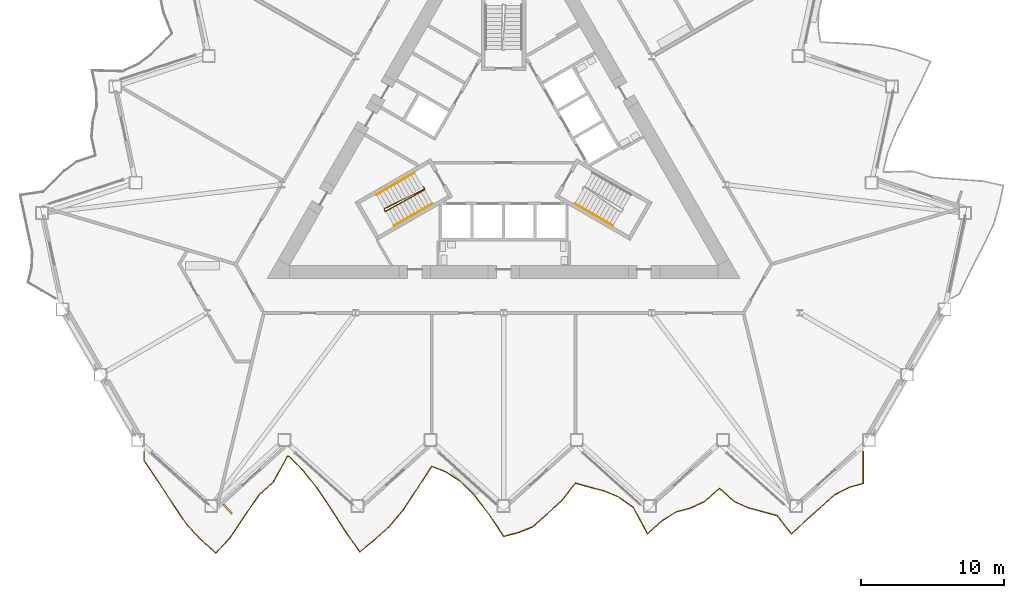
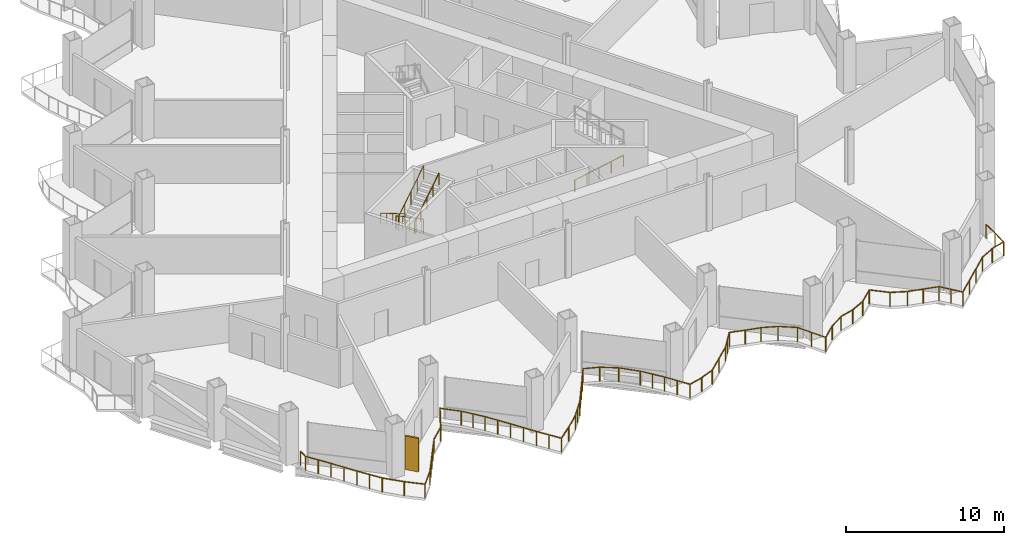
# One storey, part 17 of 21: 5 railings, 1 shading device.
"""IFC4 building model written with IfcOpenShell, lengths in metres."""

from ifc_helpers import new_model, si_unit, direction, frame, origin, origin_2d, place, context, subcontext, project, spatial, rectangle, circle, extrude, material, layer, layer_set, type_object, element, save


model = new_model("IFC4")

# Units and contexts
model_context = context("Model", 3, precision=1e-05, world=origin(), true_north=direction((0.0, 1.0)))
body_context = subcontext(model_context, "Body", "Model", "MODEL_VIEW")
ifc_project = project(units=[si_unit("LENGTHUNIT", "METRE"), si_unit("AREAUNIT", "SQUARE_METRE"), si_unit("VOLUMEUNIT", "CUBIC_METRE"), si_unit("PLANEANGLEUNIT", "RADIAN"), si_unit("MASSUNIT", "GRAM", prefix="KILO")], contexts=[model_context])

# Site, building, storey
site_placement = place(None, origin())
site = spatial("IfcSite", under=ifc_project, at=site_placement, CompositionType="ELEMENT")
building_placement = place(site_placement, origin())
building = spatial("IfcBuilding", under=site, at=building_placement, Name="Cormorant Prow Tower", CompositionType="ELEMENT")
storey_placement = place(building_placement, frame((0.0, 0.0, 112.199951171875)))
storey = spatial("IfcBuildingStorey", under=building, at=storey_placement, Name="L23", CompositionType="ELEMENT", Elevation=112.199951171875)

# Railings
ifc_material_1 = material(Name="Aluminium 6063-T6", Category="aluminium")
railing_type_1 = type_object("IfcRailingType", Name="Balcony guard 1100", PredefinedType="GUARDRAIL", material=ifc_material_1)
railing_1_placement = place(storey_placement, frame((-25.090087890625, -21.60546875, 0.0)))
element("IfcRailing", 1, at=railing_1_placement, inside=storey, type_object=railing_type_1, Name="Balcony guard S", PredefinedType="GUARDRAIL", context=body_context, shape_type="SweptSolid", body=[
    extrude(circle(Radius=0.02392578125, at=origin_2d()), frame((0.0, 0.0, 1.076171875), z_axis=(0.0, -1.0, 0.0), x_axis=(1.0, 0.0, 0.0)), (0.0, 0.0, 1.0), 0.63623046875),
    extrude(circle(Radius=0.02392578125, at=origin_2d()), frame((0.0, -0.63623046875, 1.076171875), z_axis=(0.563273034102, -0.82627083275, 0.0), x_axis=(0.82627083275, 0.563273034102, 0.0)), (0.0, 0.0, 1.0), 1.781494140625),
    extrude(circle(Radius=0.02392578125, at=origin_2d()), frame((1.00341796875, -2.108154296875, 1.076171875), z_axis=(0.541349794121, -0.840797478829, 0.0), x_axis=(0.840797478829, 0.541349794121, 0.0)), (0.0, 0.0, 1.0), 1.85400390625),
    extrude(circle(Radius=0.02392578125, at=origin_2d()), frame((2.007080078125, -3.6669921875, 1.076171875), z_axis=(0.565028770778, -0.825071201893, 0.0), x_axis=(0.825071201893, 0.565028770778, 0.0)), (0.0, 0.0, 1.0), 1.7763671875),
    extrude(circle(Radius=0.02392578125, at=origin_2d()), frame((3.0107421875, -5.132568359375, 1.076171875), z_axis=(0.690288024563, -0.723534686899, 0.0), x_axis=(0.723534686899, 0.690288024563, 0.0)), (0.0, 0.0, 1.0), 1.453857421875),
    extrude(circle(Radius=0.02392578125, at=origin_2d()), frame((4.014404296875, -6.1845703125, 1.076171875), z_axis=(0.743195257304, -0.669074591896, 0.0), x_axis=(0.669074591896, 0.743195257304, 0.0)), (0.0, 0.0, 1.0), 1.3505859375),
    extrude(circle(Radius=0.02392578125, at=origin_2d()), frame((5.01806640625, -7.088134765625, 1.076171875), z_axis=(0.671858739317, 0.740679306045, 0.0), x_axis=(-0.740679306045, 0.671858739317, 0.0)), (0.0, 0.0, 1.0), 1.493408203125),
    extrude(circle(Radius=0.02392578125, at=origin_2d()), frame((6.021484375, -5.98193359375, 1.076171875), z_axis=(0.560064685087, 0.828448881054, 0.0), x_axis=(-0.828448881054, 0.560064685087, 0.0)), (0.0, 0.0, 1.0), 1.7919921875),
    extrude(circle(Radius=0.02392578125, at=origin_2d()), frame((7.025146484375, -4.497314453125, 1.076171875), z_axis=(0.56387723091, 0.825858624984, 0.0), x_axis=(-0.825858624984, 0.56387723091, 0.0)), (0.0, 0.0, 1.0), 1.780029296875),
    extrude(circle(Radius=0.02392578125, at=origin_2d()), frame((8.02880859375, -3.02734375, 1.076171875), z_axis=(0.743105367012, 0.669174426826, 0.0), x_axis=(-0.669174426826, 0.743105367012, 0.0)), (0.0, 0.0, 1.0), 1.3505859375),
    extrude(circle(Radius=0.02392578125, at=origin_2d()), frame((9.032470703125, -2.12353515625, 1.076171875), z_axis=(0.480768788169, 0.876847405381, 0.0), x_axis=(-0.876847405381, 0.480768788169, 0.0)), (0.0, 0.0, 1.0), 2.087158203125),
    extrude(circle(Radius=0.02392578125, at=origin_2d()), frame((10.035888671875, -0.29345703125, 1.076171875), z_axis=(0.726272924684, -0.68740645827, 0.0), x_axis=(0.68740645827, 0.726272924684, 0.0)), (0.0, 0.0, 1.0), 1.3818359375),
    extrude(circle(Radius=0.02392578125, at=origin_2d()), frame((11.03955078125, -1.243408203125, 1.076171875), z_axis=(0.618784981269, -0.785560403124, 0.0), x_axis=(0.785560403124, 0.618784981269, 0.0)), (0.0, 0.0, 1.0), 1.6220703125),
    extrude(circle(Radius=0.02392578125, at=origin_2d()), frame((12.043212890625, -2.517578125, 1.076171875), z_axis=(0.556980517301, -0.830525558515, 0.0), x_axis=(0.830525558515, 0.556980517301, 0.0)), (0.0, 0.0, 1.0), 1.802001953125),
    extrude(circle(Radius=0.02392578125, at=origin_2d()), frame((13.046875, -4.01416015625, 1.076171875), z_axis=(0.541916624032, -0.840432253426, 0.0), x_axis=(0.840432253426, 0.541916624032, 0.0)), (0.0, 0.0, 1.0), 1.8515625),
    extrude(circle(Radius=0.02392578125, at=origin_2d()), frame((14.05029296875, -5.5703125, 1.076171875), z_axis=(0.572732805864, -0.819742113769, 0.0), x_axis=(0.819742113769, 0.572732805864, 0.0)), (0.0, 0.0, 1.0), 1.75244140625),
    extrude(circle(Radius=0.02392578125, at=origin_2d()), frame((15.053955078125, -7.0068359375, 1.076171875), z_axis=(0.773546340467, 0.633739740864, 0.0), x_axis=(-0.633739740864, 0.773546340467, 0.0)), (0.0, 0.0, 1.0), 1.29736328125),
    extrude(circle(Radius=0.02392578125, at=origin_2d()), frame((16.0576171875, -6.1845703125, 1.076171875), z_axis=(0.743195257304, 0.669074591896, 0.0), x_axis=(-0.669074591896, 0.743195257304, 0.0)), (0.0, 0.0, 1.0), 1.3505859375),
    extrude(circle(Radius=0.02392578125, at=origin_2d()), frame((17.061279296875, -5.281005859375, 1.076171875), z_axis=(0.646830511403, 0.762633784668, 0.0), x_axis=(-0.762633784668, 0.646830511403, 0.0)), (0.0, 0.0, 1.0), 1.5517578125),
    extrude(circle(Radius=0.02392578125, at=origin_2d()), frame((18.06494140625, -4.09765625, 1.076171875), z_axis=(0.554233434117, 0.832361280038, 0.0), x_axis=(-0.832361280038, 0.554233434117, 0.0)), (0.0, 0.0, 1.0), 1.810791015625),
    extrude(circle(Radius=0.02392578125, at=origin_2d()), frame((19.068603515625, -2.59033203125, 1.076171875), z_axis=(0.542638004838, 0.839966663449, 0.0), x_axis=(-0.839966663449, 0.542638004838, 0.0)), (0.0, 0.0, 1.0), 1.84912109375),
    extrude(circle(Radius=0.02392578125, at=origin_2d()), frame((20.072021484375, -1.037109375, 1.076171875), z_axis=(0.933128983239, -0.359541792618, 0.0), x_axis=(0.359541792618, 0.933128983239, 0.0)), (0.0, 0.0, 1.0), 1.07568359375),
    extrude(circle(Radius=0.02392578125, at=origin_2d()), frame((21.07568359375, -1.423828125, 1.076171875), z_axis=(0.834913663391, -0.550380935974, 0.0), x_axis=(0.550380935974, 0.834913663391, 0.0)), (0.0, 0.0, 1.0), 1.2021484375),
    extrude(circle(Radius=0.02392578125, at=origin_2d()), frame((22.079345703125, -2.08544921875, 1.076171875), z_axis=(0.707536920845, -0.706676379711, 0.0), x_axis=(0.706676379711, 0.707536920845, 0.0)), (0.0, 0.0, 1.0), 1.41845703125),
    extrude(circle(Radius=0.02392578125, at=origin_2d()), frame((23.0830078125, -3.087890625, 1.076171875), z_axis=(0.606140966144, -0.795357233677, 0.0), x_axis=(0.795357233677, 0.606140966144, 0.0)), (0.0, 0.0, 1.0), 1.655517578125),
    extrude(circle(Radius=0.02392578125, at=origin_2d()), frame((24.08642578125, -4.404541015625, 1.076171875), z_axis=(0.551754340842, -0.834006683044, 0.0), x_axis=(0.834006683044, 0.551754340842, 0.0)), (0.0, 0.0, 1.0), 1.819091796875),
    extrude(circle(Radius=0.02392578125, at=origin_2d()), frame((25.090087890625, -5.921630859375, 1.076171875), z_axis=(0.968499426252, 0.249015785344, 0.0), x_axis=(-0.249015785344, 0.968499426252, 0.0)), (0.0, 0.0, 1.0), 1.036376953125),
    extrude(circle(Radius=0.02392578125, at=origin_2d()), frame((26.09375, -5.66357421875, 1.076171875), z_axis=(0.927774479402, 0.373141414708, 0.0), x_axis=(-0.373141414708, 0.927774479402, 0.0)), (0.0, 0.0, 1.0), 1.08154296875),
    extrude(circle(Radius=0.02392578125, at=origin_2d()), frame((27.09716796875, -5.260009765625, 1.076171875), z_axis=(0.750865676171, 0.660454946494, 0.0), x_axis=(-0.660454946494, 0.750865676171, 0.0)), (0.0, 0.0, 1.0), 1.336669921875),
    extrude(circle(Radius=0.02392578125, at=origin_2d()), frame((28.100830078125, -4.377197265625, 1.076171875), z_axis=(0.743195257304, 0.669074591896, 0.0), x_axis=(-0.669074591896, 0.743195257304, 0.0)), (0.0, 0.0, 1.0), 1.3505859375),
    extrude(circle(Radius=0.02392578125, at=origin_2d()), frame((29.1044921875, -3.4736328125, 1.076171875), z_axis=(0.621500310543, 0.783413916136, 0.0), x_axis=(-0.783413916136, 0.621500310543, 0.0)), (0.0, 0.0, 1.0), 1.614990234375),
    extrude(circle(Radius=0.02392578125, at=origin_2d()), frame((30.108154296875, -2.20849609375, 1.076171875), z_axis=(0.962890989159, -0.26989061302, 0.0), x_axis=(0.26989061302, 0.962890989159, 0.0)), (0.0, 0.0, 1.0), 1.0419921875),
    extrude(circle(Radius=0.02392578125, at=origin_2d()), frame((31.111572265625, -2.48974609375, 1.076171875), z_axis=(0.967296661406, -0.253647725856, 0.0), x_axis=(0.253647725856, 0.967296661406, 0.0)), (0.0, 0.0, 1.0), 1.03759765625),
    extrude(circle(Radius=0.02392578125, at=origin_2d()), frame((32.115234375, -2.7529296875, 1.076171875), z_axis=(0.922191801101, -0.386732830236, 0.0), x_axis=(0.386732830236, 0.922191801101, 0.0)), (0.0, 0.0, 1.0), 1.08837890625),
    extrude(circle(Radius=0.02392578125, at=origin_2d()), frame((33.118896484375, -3.173828125, 1.076171875), z_axis=(0.815833326743, -0.578287111196, 0.0), x_axis=(0.578287111196, 0.815833326743, 0.0)), (0.0, 0.0, 1.0), 1.230224609375),
    extrude(circle(Radius=0.02392578125, at=origin_2d()), frame((34.12255859375, -3.88525390625, 1.076171875), z_axis=(0.476260755837, -0.879304095549, 0.0), x_axis=(0.879304095549, 0.476260755837, 0.0)), (0.0, 0.0, 1.0), 2.107421875),
    extrude(circle(Radius=0.02392578125, at=origin_2d()), frame((35.126220703125, -5.73828125, 1.076171875), z_axis=(0.743105367012, 0.669174426826, 0.0), x_axis=(-0.669174426826, 0.743105367012, 0.0)), (0.0, 0.0, 1.0), 1.3505859375),
    extrude(circle(Radius=0.02392578125, at=origin_2d()), frame((36.1298828125, -4.83447265625, 1.076171875), z_axis=(0.85103207517, 0.525113708669, 0.0), x_axis=(-0.525113708669, 0.85103207517, 0.0)), (0.0, 0.0, 1.0), 1.178955078125),
    extrude(circle(Radius=0.02392578125, at=origin_2d()), frame((37.13330078125, -4.21533203125, 1.076171875), z_axis=(0.965839968869, 0.259139257033, 0.0), x_axis=(-0.259139257033, 0.965839968869, 0.0)), (0.0, 0.0, 1.0), 1.0390625),
    extrude(circle(Radius=0.02392578125, at=origin_2d()), frame((38.136962890625, -3.946044921875, 1.076171875), z_axis=(0.904783784271, 0.425871229035, 0.0), x_axis=(-0.425871229035, 0.904783784271, 0.0)), (0.0, 0.0, 1.0), 1.109375),
    extrude(circle(Radius=0.02392578125, at=origin_2d()), frame((39.140625, -3.4736328125, 1.076171875), z_axis=(0.743105367012, 0.669174426826, 0.0), x_axis=(-0.669174426826, 0.743105367012, 0.0)), (0.0, 0.0, 1.0), 1.3505859375),
    extrude(circle(Radius=0.02392578125, at=origin_2d()), frame((40.144287109375, -2.56982421875, 1.076171875), z_axis=(0.743024407273, -0.669264320128, 0.0), x_axis=(0.669264320128, 0.743024407273, 0.0)), (0.0, 0.0, 1.0), 1.350341796875),
    extrude(circle(Radius=0.02392578125, at=origin_2d()), frame((41.147705078125, -3.4736328125, 1.076171875), z_axis=(0.910502956481, -0.413502558927, 0.0), x_axis=(0.413502558927, 0.910502956481, 0.0)), (0.0, 0.0, 1.0), 1.102294921875),
    extrude(circle(Radius=0.02392578125, at=origin_2d()), frame((42.1513671875, -3.929443359375, 1.076171875), z_axis=(0.966484215483, -0.25672604313, 0.0), x_axis=(0.25672604313, 0.966484215483, 0.0)), (0.0, 0.0, 1.0), 1.03857421875),
    extrude(circle(Radius=0.02392578125, at=origin_2d()), frame((43.155029296875, -4.196044921875, 1.076171875), z_axis=(0.964116899719, -0.265478066281, 0.0), x_axis=(0.265478066281, 0.964116899719, 0.0)), (0.0, 0.0, 1.0), 1.041015625),
    extrude(circle(Radius=0.02392578125, at=origin_2d()), frame((44.15869140625, -4.472412109375, 1.076171875), z_axis=(0.621186733266, -0.783662581992, 0.0), x_axis=(0.783662581992, 0.621186733266, 0.0)), (0.0, 0.0, 1.0), 1.615234375),
    extrude(circle(Radius=0.02392578125, at=origin_2d()), frame((45.162109375, -5.73828125, 1.076171875), z_axis=(0.743105367012, 0.669174426826, 0.0), x_axis=(-0.669174426826, 0.743105367012, 0.0)), (0.0, 0.0, 1.0), 1.3505859375),
    extrude(circle(Radius=0.02392578125, at=origin_2d()), frame((46.165771484375, -4.83447265625, 1.076171875), z_axis=(0.743195257304, 0.669074591896, 0.0), x_axis=(-0.669074591896, 0.743195257304, 0.0)), (0.0, 0.0, 1.0), 1.3505859375),
    extrude(circle(Radius=0.02392578125, at=origin_2d()), frame((47.16943359375, -3.930908203125, 1.076171875), z_axis=(0.743195257304, 0.669074591896, 0.0), x_axis=(-0.669074591896, 0.743195257304, 0.0)), (0.0, 0.0, 1.0), 1.3505859375),
    extrude(circle(Radius=0.02392578125, at=origin_2d()), frame((48.173095703125, -3.02734375, 1.076171875), z_axis=(0.888515498383, 0.458846607411, 0.0), x_axis=(-0.458846607411, 0.888515498383, 0.0)), (0.0, 0.0, 1.0), 1.129638671875),
    extrude(circle(Radius=0.02392578125, at=origin_2d()), frame((49.1767578125, -2.509033203125, 1.076171875), z_axis=(0.962034583565, 0.272927572856, 0.0), x_axis=(-0.272927572856, 0.962034583565, 0.0)), (0.0, 0.0, 1.0), 1.04296875),
    extrude(circle(Radius=0.02392578125, at=origin_2d()), frame((50.18017578125, -2.224365234375, 1.076171875), z_axis=(0.0, 1.0, 0.0), x_axis=(-1.0, 0.0, 0.0)), (0.0, 0.0, 1.0), 2.224365234375),
    extrude(circle(Radius=0.02099609375, at=origin_2d()), origin(), (0.0, 0.0, 1.0), 1.052001953125),
    extrude(circle(Radius=0.02099609375, at=origin_2d()), frame((0.0, -0.63623046875, 0.0)), (0.0, 0.0, 1.0), 1.052001953125),
    extrude(circle(Radius=0.02099609375, at=origin_2d()), frame((0.501708984375, -1.3720703125, 0.0)), (0.0, 0.0, 1.0), 1.052001953125),
    extrude(circle(Radius=0.02099609375, at=origin_2d()), frame((1.00341796875, -2.108154296875, 0.0)), (0.0, 0.0, 1.0), 1.052001953125),
    extrude(circle(Radius=0.02099609375, at=origin_2d()), frame((1.50537109375, -2.8876953125, 0.0)), (0.0, 0.0, 1.0), 1.052001953125),
    extrude(circle(Radius=0.02099609375, at=origin_2d()), frame((2.007080078125, -3.6669921875, 0.0)), (0.0, 0.0, 1.0), 1.052001953125),
    extrude(circle(Radius=0.02099609375, at=origin_2d()), frame((2.5087890625, -4.39990234375, 0.0)), (0.0, 0.0, 1.0), 1.052001953125),
    extrude(circle(Radius=0.02099609375, at=origin_2d()), frame((3.0107421875, -5.132568359375, 0.0)), (0.0, 0.0, 1.0), 1.052001953125),
    extrude(circle(Radius=0.02099609375, at=origin_2d()), frame((4.014404296875, -6.1845703125, 0.0)), (0.0, 0.0, 1.0), 1.052001953125),
    extrude(circle(Radius=0.02099609375, at=origin_2d()), frame((5.01806640625, -7.088134765625, 0.0)), (0.0, 0.0, 1.0), 1.052001953125),
    extrude(circle(Radius=0.02099609375, at=origin_2d()), frame((6.021484375, -5.98193359375, 0.0)), (0.0, 0.0, 1.0), 1.052001953125),
    extrude(circle(Radius=0.02099609375, at=origin_2d()), frame((6.5234375, -5.23974609375, 0.0)), (0.0, 0.0, 1.0), 1.052001953125),
    extrude(circle(Radius=0.02099609375, at=origin_2d()), frame((7.025146484375, -4.497314453125, 0.0)), (0.0, 0.0, 1.0), 1.052001953125),
    extrude(circle(Radius=0.02099609375, at=origin_2d()), frame((7.52685546875, -3.76220703125, 0.0)), (0.0, 0.0, 1.0), 1.052001953125),
    extrude(circle(Radius=0.02099609375, at=origin_2d()), frame((8.02880859375, -3.02734375, 0.0)), (0.0, 0.0, 1.0), 1.052001953125),
    extrude(circle(Radius=0.02099609375, at=origin_2d()), frame((9.032470703125, -2.12353515625, 0.0)), (0.0, 0.0, 1.0), 1.052001953125),
    extrude(circle(Radius=0.02099609375, at=origin_2d()), frame((9.5341796875, -1.20849609375, 0.0)), (0.0, 0.0, 1.0), 1.052001953125),
    extrude(circle(Radius=0.02099609375, at=origin_2d()), frame((10.035888671875, -0.29345703125, 0.0)), (0.0, 0.0, 1.0), 1.052001953125),
    extrude(circle(Radius=0.02099609375, at=origin_2d()), frame((11.03955078125, -1.243408203125, 0.0)), (0.0, 0.0, 1.0), 1.052001953125),
    extrude(circle(Radius=0.02099609375, at=origin_2d()), frame((11.54150390625, -1.88037109375, 0.0)), (0.0, 0.0, 1.0), 1.052001953125),
    extrude(circle(Radius=0.02099609375, at=origin_2d()), frame((12.043212890625, -2.517578125, 0.0)), (0.0, 0.0, 1.0), 1.052001953125),
    extrude(circle(Radius=0.02099609375, at=origin_2d()), frame((12.544921875, -3.265869140625, 0.0)), (0.0, 0.0, 1.0), 1.052001953125),
    extrude(circle(Radius=0.02099609375, at=origin_2d()), frame((13.046875, -4.01416015625, 0.0)), (0.0, 0.0, 1.0), 1.052001953125),
    extrude(circle(Radius=0.02099609375, at=origin_2d()), frame((13.548583984375, -4.792236328125, 0.0)), (0.0, 0.0, 1.0), 1.052001953125),
    extrude(circle(Radius=0.02099609375, at=origin_2d()), frame((14.05029296875, -5.5703125, 0.0)), (0.0, 0.0, 1.0), 1.052001953125),
    extrude(circle(Radius=0.02099609375, at=origin_2d()), frame((14.55224609375, -6.28857421875, 0.0)), (0.0, 0.0, 1.0), 1.052001953125),
    extrude(circle(Radius=0.02099609375, at=origin_2d()), frame((15.053955078125, -7.0068359375, 0.0)), (0.0, 0.0, 1.0), 1.052001953125),
    extrude(circle(Radius=0.02099609375, at=origin_2d()), frame((16.0576171875, -6.1845703125, 0.0)), (0.0, 0.0, 1.0), 1.052001953125),
    extrude(circle(Radius=0.02099609375, at=origin_2d()), frame((17.061279296875, -5.281005859375, 0.0)), (0.0, 0.0, 1.0), 1.052001953125),
    extrude(circle(Radius=0.02099609375, at=origin_2d()), frame((17.56298828125, -4.689453125, 0.0)), (0.0, 0.0, 1.0), 1.052001953125),
    extrude(circle(Radius=0.02099609375, at=origin_2d()), frame((18.06494140625, -4.09765625, 0.0)), (0.0, 0.0, 1.0), 1.052001953125),
    extrude(circle(Radius=0.02099609375, at=origin_2d()), frame((18.56689453125, -3.343994140625, 0.0)), (0.0, 0.0, 1.0), 1.052001953125),
    extrude(circle(Radius=0.02099609375, at=origin_2d()), frame((19.068603515625, -2.59033203125, 0.0)), (0.0, 0.0, 1.0), 1.052001953125),
    extrude(circle(Radius=0.02099609375, at=origin_2d()), frame((19.5703125, -1.813720703125, 0.0)), (0.0, 0.0, 1.0), 1.052001953125),
    extrude(circle(Radius=0.02099609375, at=origin_2d()), frame((20.072021484375, -1.037109375, 0.0)), (0.0, 0.0, 1.0), 1.052001953125),
    extrude(circle(Radius=0.02099609375, at=origin_2d()), frame((21.07568359375, -1.423828125, 0.0)), (0.0, 0.0, 1.0), 1.052001953125),
    extrude(circle(Radius=0.02099609375, at=origin_2d()), frame((22.079345703125, -2.08544921875, 0.0)), (0.0, 0.0, 1.0), 1.052001953125),
    extrude(circle(Radius=0.02099609375, at=origin_2d()), frame((23.0830078125, -3.087890625, 0.0)), (0.0, 0.0, 1.0), 1.052001953125),
    extrude(circle(Radius=0.02099609375, at=origin_2d()), frame((23.584716796875, -3.74609375, 0.0)), (0.0, 0.0, 1.0), 1.052001953125),
    extrude(circle(Radius=0.02099609375, at=origin_2d()), frame((24.08642578125, -4.404541015625, 0.0)), (0.0, 0.0, 1.0), 1.052001953125),
    extrude(circle(Radius=0.02099609375, at=origin_2d()), frame((24.58837890625, -5.1630859375, 0.0)), (0.0, 0.0, 1.0), 1.052001953125),
    extrude(circle(Radius=0.02099609375, at=origin_2d()), frame((25.090087890625, -5.921630859375, 0.0)), (0.0, 0.0, 1.0), 1.052001953125),
    extrude(circle(Radius=0.02099609375, at=origin_2d()), frame((26.09375, -5.66357421875, 0.0)), (0.0, 0.0, 1.0), 1.052001953125),
    extrude(circle(Radius=0.02099609375, at=origin_2d()), frame((27.09716796875, -5.260009765625, 0.0)), (0.0, 0.0, 1.0), 1.052001953125),
    extrude(circle(Radius=0.02099609375, at=origin_2d()), frame((28.100830078125, -4.377197265625, 0.0)), (0.0, 0.0, 1.0), 1.052001953125),
    extrude(circle(Radius=0.02099609375, at=origin_2d()), frame((29.1044921875, -3.4736328125, 0.0)), (0.0, 0.0, 1.0), 1.052001953125),
    extrude(circle(Radius=0.02099609375, at=origin_2d()), frame((29.6064453125, -2.841064453125, 0.0)), (0.0, 0.0, 1.0), 1.052001953125),
    extrude(circle(Radius=0.02099609375, at=origin_2d()), frame((30.108154296875, -2.20849609375, 0.0)), (0.0, 0.0, 1.0), 1.052001953125),
    extrude(circle(Radius=0.02099609375, at=origin_2d()), frame((31.111572265625, -2.48974609375, 0.0)), (0.0, 0.0, 1.0), 1.052001953125),
    extrude(circle(Radius=0.02099609375, at=origin_2d()), frame((32.115234375, -2.7529296875, 0.0)), (0.0, 0.0, 1.0), 1.052001953125),
    extrude(circle(Radius=0.02099609375, at=origin_2d()), frame((33.118896484375, -3.173828125, 0.0)), (0.0, 0.0, 1.0), 1.052001953125),
    extrude(circle(Radius=0.02099609375, at=origin_2d()), frame((34.12255859375, -3.88525390625, 0.0)), (0.0, 0.0, 1.0), 1.052001953125),
    extrude(circle(Radius=0.02099609375, at=origin_2d()), frame((34.62451171875, -4.811767578125, 0.0)), (0.0, 0.0, 1.0), 1.052001953125),
    extrude(circle(Radius=0.02099609375, at=origin_2d()), frame((35.126220703125, -5.73828125, 0.0)), (0.0, 0.0, 1.0), 1.052001953125),
    extrude(circle(Radius=0.02099609375, at=origin_2d()), frame((36.1298828125, -4.83447265625, 0.0)), (0.0, 0.0, 1.0), 1.052001953125),
    extrude(circle(Radius=0.02099609375, at=origin_2d()), frame((37.13330078125, -4.21533203125, 0.0)), (0.0, 0.0, 1.0), 1.052001953125),
    extrude(circle(Radius=0.02099609375, at=origin_2d()), frame((38.136962890625, -3.946044921875, 0.0)), (0.0, 0.0, 1.0), 1.052001953125),
    extrude(circle(Radius=0.02099609375, at=origin_2d()), frame((39.140625, -3.4736328125, 0.0)), (0.0, 0.0, 1.0), 1.052001953125),
    extrude(circle(Radius=0.02099609375, at=origin_2d()), frame((40.144287109375, -2.56982421875, 0.0)), (0.0, 0.0, 1.0), 1.052001953125),
    extrude(circle(Radius=0.02099609375, at=origin_2d()), frame((41.147705078125, -3.4736328125, 0.0)), (0.0, 0.0, 1.0), 1.052001953125),
    extrude(circle(Radius=0.02099609375, at=origin_2d()), frame((42.1513671875, -3.929443359375, 0.0)), (0.0, 0.0, 1.0), 1.052001953125),
    extrude(circle(Radius=0.02099609375, at=origin_2d()), frame((43.155029296875, -4.196044921875, 0.0)), (0.0, 0.0, 1.0), 1.052001953125),
    extrude(circle(Radius=0.02099609375, at=origin_2d()), frame((44.15869140625, -4.472412109375, 0.0)), (0.0, 0.0, 1.0), 1.052001953125),
    extrude(circle(Radius=0.02099609375, at=origin_2d()), frame((44.660400390625, -5.10546875, 0.0)), (0.0, 0.0, 1.0), 1.052001953125),
    extrude(circle(Radius=0.02099609375, at=origin_2d()), frame((45.162109375, -5.73828125, 0.0)), (0.0, 0.0, 1.0), 1.052001953125),
    extrude(circle(Radius=0.02099609375, at=origin_2d()), frame((46.165771484375, -4.83447265625, 0.0)), (0.0, 0.0, 1.0), 1.052001953125),
    extrude(circle(Radius=0.02099609375, at=origin_2d()), frame((47.16943359375, -3.930908203125, 0.0)), (0.0, 0.0, 1.0), 1.052001953125),
    extrude(circle(Radius=0.02099609375, at=origin_2d()), frame((48.173095703125, -3.02734375, 0.0)), (0.0, 0.0, 1.0), 1.052001953125),
    extrude(circle(Radius=0.02099609375, at=origin_2d()), frame((49.1767578125, -2.509033203125, 0.0)), (0.0, 0.0, 1.0), 1.052001953125),
    extrude(circle(Radius=0.02099609375, at=origin_2d()), frame((50.18017578125, -2.224365234375, 0.0)), (0.0, 0.0, 1.0), 1.052001953125),
    extrude(circle(Radius=0.02099609375, at=origin_2d()), frame((50.18017578125, -1.1123046875, 0.0)), (0.0, 0.0, 1.0), 1.052001953125),
    extrude(circle(Radius=0.02099609375, at=origin_2d()), frame((50.18017578125, 0.0, 0.0)), (0.0, 0.0, 1.0), 1.052001953125),
])
ifc_material_2 = material(Name="Stainless steel", Category="steel")
railing_type_2 = type_object("IfcRailingType", Name="Stair guard 1100", PredefinedType="GUARDRAIL", material=ifc_material_2)
railing_2_placement = place(storey_placement, frame((-5.585205078125, -3.137939453125, 0.0)))
element("IfcRailing", 2, at=railing_2_placement, inside=storey, type_object=railing_type_2, Name="L23 ST1 stair guard 1", PredefinedType="GUARDRAIL", context=body_context, shape_type="SweptSolid", body=[
    extrude(circle(Radius=0.02392578125, at=origin_2d()), frame((0.0, 0.0, 1.076171875), z_axis=(0.501036270542, -0.865426285481, 0.0), x_axis=(0.865426285481, 0.501036270542, 0.0)), (0.0, 0.0, 1.0), 0.150146484375),
    extrude(circle(Radius=0.02392578125, at=origin_2d()), frame((0.0751953125, -0.1298828125, 1.076171875), z_axis=(-0.744644002882, -0.368732342607, 0.556364780057), x_axis=(0.443754251299, -0.896148516963, 0.0)), (0.0, 0.0, 1.0), 3.774658203125),
    extrude(circle(Radius=0.02392578125, at=origin_2d()), frame((-2.735595703125, -1.521728515625, 3.17626953125), z_axis=(0.274721127897, -0.961523947641, 0.0), x_axis=(0.961523947641, 0.274721127897, 0.0)), (0.0, 0.0, 1.0), 0.2060546875),
    extrude(circle(Radius=0.02392578125, at=origin_2d()), frame((-2.678955078125, -1.719970703125, 3.17626953125), z_axis=(0.725764528363, 0.403684660475, 0.557049857973), x_axis=(-0.486086505765, 0.873910698477, 0.0)), (0.0, 0.0, 1.0), 3.76953125),
    extrude(circle(Radius=0.02099609375, at=origin_2d()), origin(), (0.0, 0.0, 1.0), 1.052001953125),
    extrude(circle(Radius=0.02099609375, at=origin_2d()), frame((0.0751953125, -0.1298828125, 0.0)), (0.0, 0.0, 1.0), 1.052001953125),
    extrude(circle(Radius=0.02099609375, at=origin_2d()), frame((-0.62744140625, -0.477783203125, 0.52490234375)), (0.0, 0.0, 1.0), 1.052001953125),
    extrude(circle(Radius=0.02099609375, at=origin_2d()), frame((-1.330078125, -0.82568359375, 1.050048828125)), (0.0, 0.0, 1.0), 1.052001953125),
    extrude(circle(Radius=0.02099609375, at=origin_2d()), frame((-2.032958984375, -1.173828125, 1.5751953125)), (0.0, 0.0, 1.0), 1.052001953125),
    extrude(circle(Radius=0.02099609375, at=origin_2d()), frame((-2.735595703125, -1.521728515625, 2.10009765625)), (0.0, 0.0, 1.0), 1.052001953125),
    extrude(circle(Radius=0.02099609375, at=origin_2d()), frame((-2.678955078125, -1.719970703125, 2.10009765625)), (0.0, 0.0, 1.0), 1.052001953125),
    extrude(circle(Radius=0.02099609375, at=origin_2d()), frame((-1.9951171875, -1.339599609375, 2.625)), (0.0, 0.0, 1.0), 1.052001953125),
    extrude(circle(Radius=0.02099609375, at=origin_2d()), frame((-1.31103515625, -0.958984375, 3.14990234375)), (0.0, 0.0, 1.0), 1.052001953125),
    extrude(circle(Radius=0.02099609375, at=origin_2d()), frame((-0.626953125, -0.57861328125, 3.675048828125)), (0.0, 0.0, 1.0), 1.052001953125),
    extrude(circle(Radius=0.02099609375, at=origin_2d()), frame((0.056884765625, -0.1982421875, 4.199951171875)), (0.0, 0.0, 1.0), 1.052001953125),
])
ifc_material_3 = material(Name="Stainless steel", Category="steel")
railing_type_3 = type_object("IfcRailingType", Name="Stair handrail 900", PredefinedType="HANDRAIL", material=ifc_material_3)
railing_3_placement = place(storey_placement, frame((-6.212890625, -2.150634765625, 0.175048828125)))
element("IfcRailing", 3, at=railing_3_placement, inside=storey, type_object=railing_type_3, Name="L23 ST1 stair handrail 1", PredefinedType="HANDRAIL", context=body_context, shape_type="SweptSolid", body=[
    extrude(circle(Radius=0.02392578125, at=origin_2d()), frame((0.0, 0.0, 0.8759765625), z_axis=(-0.734394994316, -0.423994474112, 0.52999309264), x_axis=(0.499992328818, -0.866029832698, 0.0)), (0.0, 0.0, 1.0), 3.63232421875),
    extrude(circle(Radius=0.02099609375, at=origin_2d()), origin(), (0.0, 0.0, 1.0), 0.851806640625),
    extrude(circle(Radius=0.02099609375, at=origin_2d()), frame((-0.6669921875, -0.385009765625, 0.481201171875)), (0.0, 0.0, 1.0), 0.851806640625),
    extrude(circle(Radius=0.02099609375, at=origin_2d()), frame((-1.333740234375, -0.77001953125, 0.96240234375)), (0.0, 0.0, 1.0), 0.851806640625),
    extrude(circle(Radius=0.02099609375, at=origin_2d()), frame((-2.00048828125, -1.155029296875, 1.44384765625)), (0.0, 0.0, 1.0), 0.851806640625),
    extrude(circle(Radius=0.02099609375, at=origin_2d()), frame((-2.66748046875, -1.5400390625, 1.925048828125)), (0.0, 0.0, 1.0), 0.851806640625),
])
railing_4_placement = place(storey_placement, frame((-7.63623046875, -5.84521484375, 2.275146484375)))
element("IfcRailing", 4, at=railing_4_placement, inside=storey, type_object=railing_type_3, Name="L23 ST1 stair handrail 2", PredefinedType="HANDRAIL", context=body_context, shape_type="SweptSolid", body=[
    extrude(circle(Radius=0.02392578125, at=origin_2d()), frame((0.0, 0.0, 0.8759765625), z_axis=(0.734390191396, 0.42403051051, 0.529970917068), x_axis=(-0.500026652407, 0.866010015463, 0.0)), (0.0, 0.0, 1.0), 3.6318359375),
    extrude(circle(Radius=0.02099609375, at=origin_2d()), origin(), (0.0, 0.0, 1.0), 0.851806640625),
    extrude(circle(Radius=0.02099609375, at=origin_2d()), frame((0.666748046875, 0.385009765625, 0.481201171875)), (0.0, 0.0, 1.0), 0.851806640625),
    extrude(circle(Radius=0.02099609375, at=origin_2d()), frame((1.33349609375, 0.77001953125, 0.96240234375)), (0.0, 0.0, 1.0), 0.851806640625),
    extrude(circle(Radius=0.02099609375, at=origin_2d()), frame((2.00048828125, 1.155029296875, 1.443603515625)), (0.0, 0.0, 1.0), 0.851806640625),
    extrude(circle(Radius=0.02099609375, at=origin_2d()), frame((2.667236328125, 1.5400390625, 1.9248046875)), (0.0, 0.0, 1.0), 0.851806640625),
])
railing_5_placement = place(storey_placement, frame((4.968994140625, -4.30517578125, 0.175048828125)))
element("IfcRailing", 5, at=railing_5_placement, inside=storey, type_object=railing_type_3, Name="L23 ST2 stair handrail 1", PredefinedType="HANDRAIL", context=body_context, shape_type="SweptSolid", body=[
    extrude(circle(Radius=0.02392578125, at=origin_2d()), frame((0.0, 0.0, 0.8759765625), z_axis=(0.734364028329, -0.424015404183, 0.530019255228), x_axis=(0.500026652407, 0.866010015463, 0.0)), (0.0, 0.0, 1.0), 3.632080078125),
    extrude(circle(Radius=0.02099609375, at=origin_2d()), origin(), (0.0, 0.0, 1.0), 0.851806640625),
    extrude(circle(Radius=0.02099609375, at=origin_2d()), frame((0.666748046875, -0.385009765625, 0.481201171875)), (0.0, 0.0, 1.0), 0.851806640625),
    extrude(circle(Radius=0.02099609375, at=origin_2d()), frame((1.33349609375, -0.77001953125, 0.96240234375)), (0.0, 0.0, 1.0), 0.851806640625),
    extrude(circle(Radius=0.02099609375, at=origin_2d()), frame((2.00048828125, -1.155029296875, 1.44384765625)), (0.0, 0.0, 1.0), 0.851806640625),
    extrude(circle(Radius=0.02099609375, at=origin_2d()), frame((2.667236328125, -1.5400390625, 1.925048828125)), (0.0, 0.0, 1.0), 0.851806640625),
])

# Shading device
ifc_material_4 = material(Name="Terracotta", Category="masonry")
ifc_layer = layer(ifc_material_4, 0.1201171875)
ifc_layer_set = layer_set([ifc_layer], Name="Terracotta")
shading_device_type = type_object("IfcShadingDeviceType", Name="Terracotta baguette fin 120x900x2600", PredefinedType="USERDEFINED", material=ifc_layer_set)
shading_device_placement = place(storey_placement, frame((-19.25390625, -25.6123046875, 0.0), z_axis=(0.0, 0.0, 1.0), x_axis=(0.74314483343, 0.669130597526, 0.0)))
element("IfcShadingDevice", 6, at=shading_device_placement, inside=storey, type_object=shading_device_type, Name="Baguette fin S01", ObjectType="BAGUETTE", PredefinedType="USERDEFINED", context=body_context, shape_type="SweptSolid", body=[
    extrude(rectangle(XDim=0.1201171875, YDim=0.89990234375, at=origin_2d()), origin(), (0.0, 0.0, 1.0), 2.60009765625),
])

save(model, "model.ifc")
